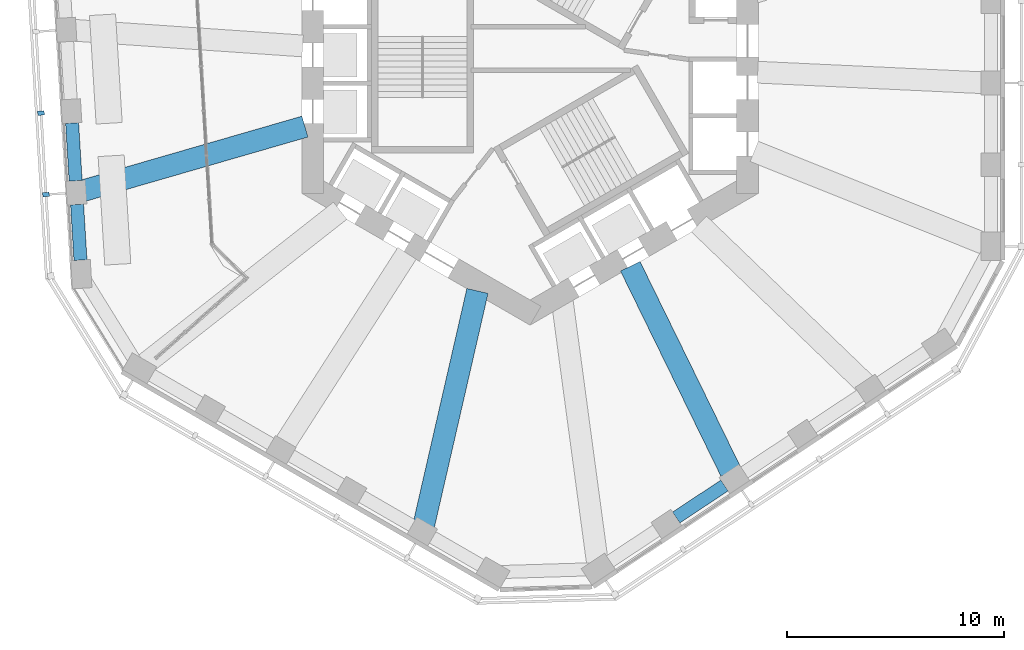
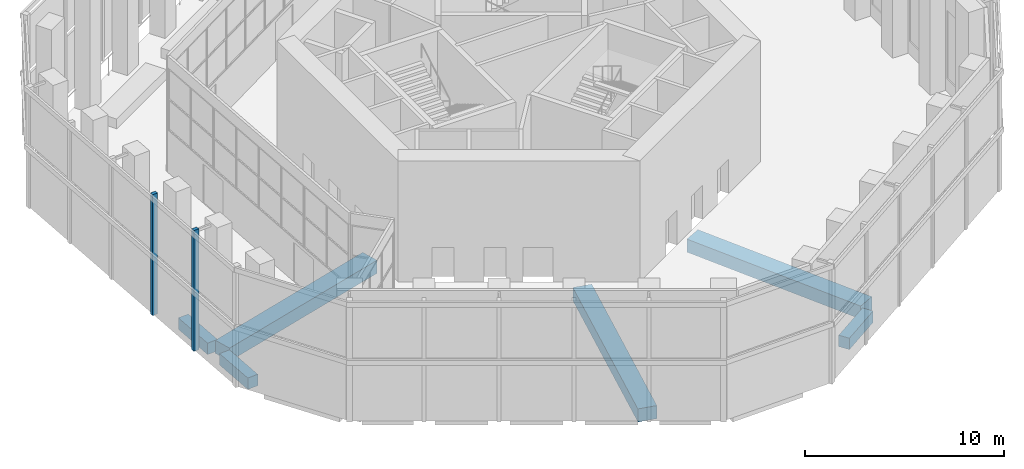
# One storey, part 3 of 19: 6 beams, 2 members, 1 element without a shape of its own.
"""IFC4 building model written with IfcOpenShell, lengths in metres."""

from ifc_helpers import new_model, si_unit, direction, frame, origin, origin_2d, place, context, subcontext, project, spatial, rectangle, extrude, material, material_profile, profile_set, type_object, element, aggregate, save


model = new_model("IFC4")

# Units and contexts
model_context = context("Model", 3, precision=1e-05, world=origin(), true_north=direction((0.0, 1.0)))
body_context = subcontext(model_context, "Body", "Model", "MODEL_VIEW")
ifc_project = project(units=[si_unit("LENGTHUNIT", "METRE"), si_unit("AREAUNIT", "SQUARE_METRE"), si_unit("VOLUMEUNIT", "CUBIC_METRE"), si_unit("PLANEANGLEUNIT", "RADIAN"), si_unit("MASSUNIT", "GRAM", prefix="KILO")], contexts=[model_context])

# Site, building, storey
site_placement = place(None, origin())
site = spatial("IfcSite", under=ifc_project, at=site_placement, CompositionType="ELEMENT")
building_placement = place(site_placement, origin())
building = spatial("IfcBuilding", under=site, at=building_placement, Name="Vanh Sen Convention Tower", CompositionType="ELEMENT")
storey_placement = place(building_placement, frame((0.0, 0.0, 139.199951171875)))
storey = spatial("IfcBuildingStorey", under=building, at=storey_placement, Name="L34", CompositionType="ELEMENT", Elevation=139.199951171875)

# Curtain wall, members
ifc_material_1 = material(Name="Concrete C50/60", Category="concrete")
curtain_wall_type = type_object("IfcCurtainWallType", Name="Outer skin office zone", PredefinedType="NOTDEFINED", material=ifc_material_1)
curtain_wall_placement = place(storey_placement, origin())
curtain_wall = element("IfcCurtainWall", 1, at=curtain_wall_placement, inside=storey, type_object=curtain_wall_type, Name="OUTER SKIN W L34", PredefinedType="NOTDEFINED")
ifc_material_profile_1 = material_profile(ifc_material_1, rectangle(XDim=0.199951171875, YDim=0.300048828125, at=origin_2d()), Name="Outer skin precast fin 200 x 300")
ifc_profile_set_1 = profile_set([ifc_material_profile_1], Name="Concrete C50/60")
member_type = type_object("IfcMemberType", Name="Outer skin precast fin 200 x 300", PredefinedType="MULLION", material=ifc_profile_set_1)
member_1_placement = place(storey_placement, frame((-22.497314453125, -2.37060546875, 0.0), z_axis=(0.0, 0.0, 1.0), x_axis=(0.061048539535, -0.998134798422, 0.0)))
member_1 = element("IfcMember", 2, at=member_1_placement, type_object=member_type, Name="OUTER SKIN fin 4 W L34", PredefinedType="MULLION", context=body_context, shape_type="SweptSolid", body=[
    extrude(rectangle(XDim=0.199951171875, YDim=0.300048828125, at=origin_2d()), origin(), (0.0, 0.0, 1.0), 7.400146484375),
])
member_2_placement = place(storey_placement, frame((-22.26806640625, -6.117919921875, 0.0), z_axis=(0.0, 0.0, 1.0), x_axis=(0.061048539535, -0.998134798422, 0.0)))
member_2 = element("IfcMember", 3, at=member_2_placement, type_object=member_type, Name="OUTER SKIN fin 5 W L34", PredefinedType="MULLION", context=body_context, shape_type="SweptSolid", body=[
    extrude(rectangle(XDim=0.199951171875, YDim=0.300048828125, at=origin_2d()), origin(), (0.0, 0.0, 1.0), 7.400146484375),
])
aggregate(curtain_wall, [member_1, member_2])

# Beams
ifc_material_2 = material(Name="Concrete C50/60", Category="concrete")
ifc_material_profile_2 = material_profile(ifc_material_2, rectangle(XDim=1.0, YDim=0.800048828125, at=origin_2d()), Name="RC 1000X800")
ifc_profile_set_2 = profile_set([ifc_material_profile_2], Name="Concrete C50/60")
beam_type_1 = type_object("IfcBeamType", Name="Radial floor beam 1000 x 800", PredefinedType="BEAM", material=ifc_profile_set_2)
beam_1_placement = place(storey_placement, frame((-20.602783203125, -5.954833984375, -0.75), z_axis=(0.960679861027, 0.277658431563, 0.0), x_axis=(-0.277658431563, 0.960679861027, 0.0)))
element("IfcBeam", 4, at=beam_1_placement, inside=storey, type_object=beam_type_1, Name="Radial beam 12 L34", PredefinedType="BEAM", context=body_context, shape_type="SweptSolid", body=[
    extrude(rectangle(XDim=1.0, YDim=0.800048828125, at=origin_2d()), origin(), (0.0, 0.0, 1.0), 10.665771484375),
])
beam_2_placement = place(storey_placement, frame((-4.90380859375, -21.38330078125, -0.75), z_axis=(0.22352270498, 0.974698722867, 0.0), x_axis=(-0.974698722867, 0.22352270498, 0.0)))
element("IfcBeam", 5, at=beam_2_placement, inside=storey, type_object=beam_type_1, Name="Radial beam 15 L34", PredefinedType="BEAM", context=body_context, shape_type="SweptSolid", body=[
    extrude(rectangle(XDim=1.0, YDim=0.800048828125, at=origin_2d()), origin(), (0.0, 0.0, 1.0), 11.112548828125),
])
beam_3_placement = place(storey_placement, frame((9.229736328125, -18.85791015625, -0.75), z_axis=(-0.439596726485, 0.898195256091, 0.0), x_axis=(-0.898195256091, -0.439596726485, 0.0)))
element("IfcBeam", 6, at=beam_3_placement, inside=storey, type_object=beam_type_1, Name="Radial beam 17 L34", PredefinedType="BEAM", context=body_context, shape_type="SweptSolid", body=[
    extrude(rectangle(XDim=1.0, YDim=0.800048828125, at=origin_2d()), origin(), (0.0, 0.0, 1.0), 10.510009765625),
])
ifc_material_profile_3 = material_profile(ifc_material_2, rectangle(XDim=0.60009765625, YDim=0.699951171875, at=origin_2d()), Name="RC 600X700")
ifc_profile_set_3 = profile_set([ifc_material_profile_3], Name="Concrete C50/60")
beam_type_2 = type_object("IfcBeamType", Name="Spandrel beam 600 x 700", PredefinedType="SPANDREL", material=ifc_profile_set_3)
beam_4_placement = place(storey_placement, frame((-21.06640625, -2.8291015625, -0.699951171875), z_axis=(0.060940509637, -0.998141399946, 0.0), x_axis=(0.998141399946, 0.060940509637, 0.0)))
element("IfcBeam", 7, at=beam_4_placement, inside=storey, type_object=beam_type_2, Name="Spandrel beam 22 L34", PredefinedType="SPANDREL", context=body_context, shape_type="SweptSolid", body=[
    extrude(rectangle(XDim=0.60009765625, YDim=0.699951171875, at=origin_2d()), origin(), (0.0, 0.0, 1.0), 2.6640625),
])
beam_5_placement = place(storey_placement, frame((-20.83740234375, -6.576171875, -0.699951171875), z_axis=(0.061032627068, -0.998135771543, 0.0), x_axis=(0.998135771543, 0.061032627068, 0.0)))
element("IfcBeam", 8, at=beam_5_placement, inside=storey, type_object=beam_type_2, Name="Spandrel beam 23 L34", PredefinedType="SPANDREL", context=body_context, shape_type="SweptSolid", body=[
    extrude(rectangle(XDim=0.60009765625, YDim=0.699951171875, at=origin_2d()), origin(), (0.0, 0.0, 1.0), 2.564208984375),
])
beam_6_placement = place(storey_placement, frame((6.722412109375, -20.9736328125, -0.699951171875), z_axis=(0.833906773816, 0.551905329368, 0.0), x_axis=(-0.551905329368, 0.833906773816, 0.0)))
element("IfcBeam", 9, at=beam_6_placement, inside=storey, type_object=beam_type_2, Name="Spandrel beam 32 L34", PredefinedType="SPANDREL", context=body_context, shape_type="SweptSolid", body=[
    extrude(rectangle(XDim=0.60009765625, YDim=0.699951171875, at=origin_2d()), origin(), (0.0, 0.0, 1.0), 2.663818359375),
])

save(model, "model.ifc")
